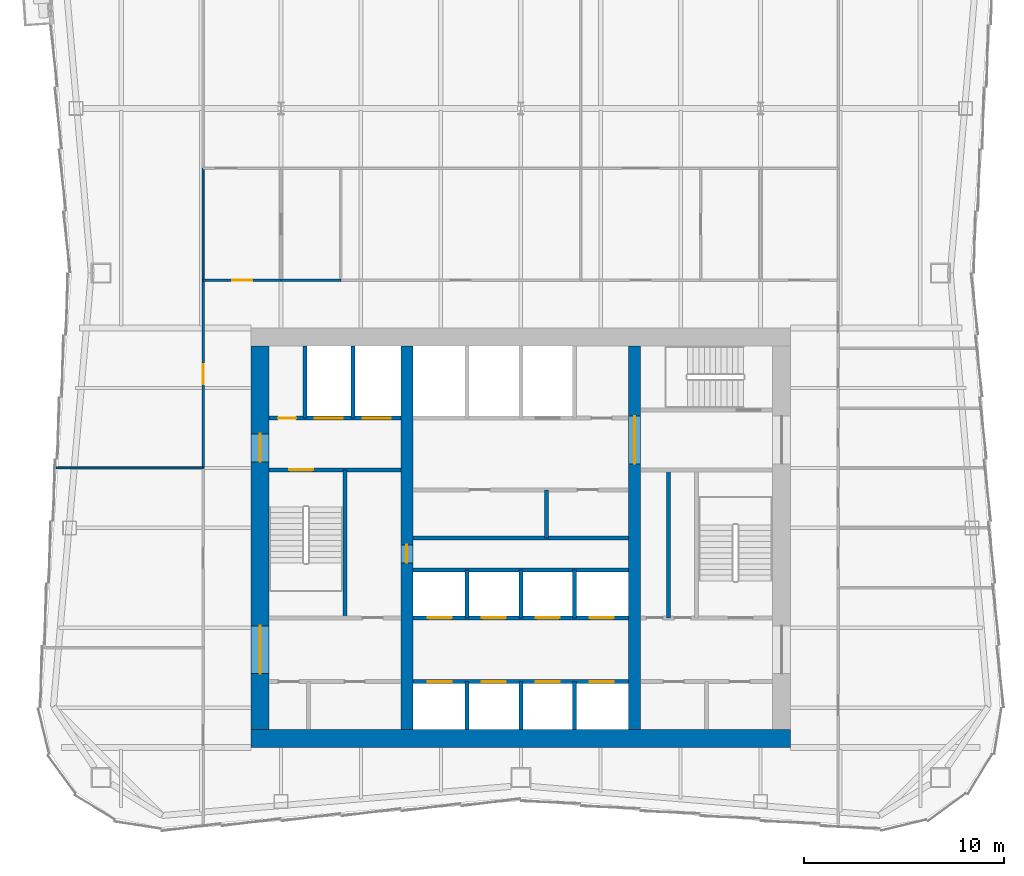
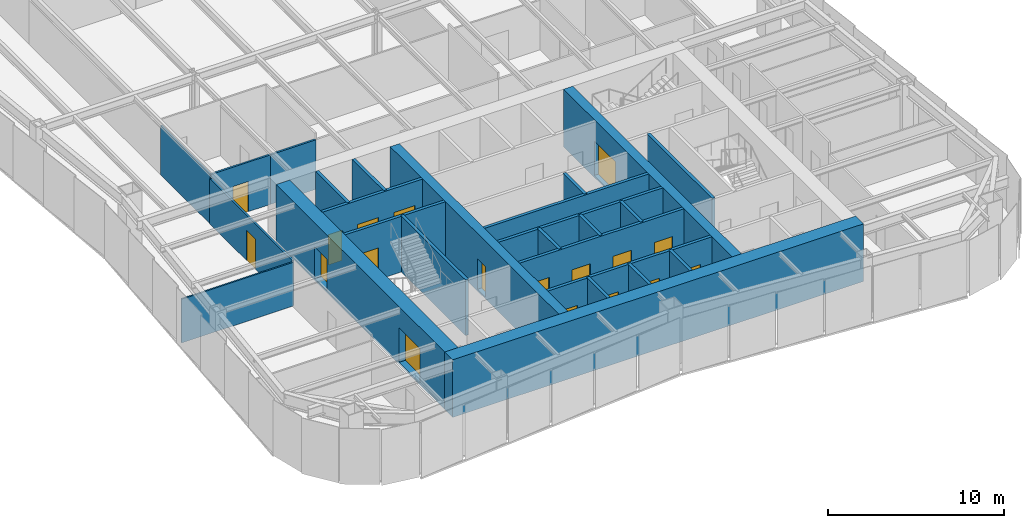
# One storey, part 5 of 10: 26 walls, 18 doors, 18 openings.
"""IFC4 building model written with IfcOpenShell, lengths in metres."""

from ifc_helpers import new_model, si_unit, direction, frame, frame_2d, origin, place, context, subcontext, project, spatial, rectangle, extrude, material, layer, layer_set, type_object, element, fill, save


model = new_model("IFC4")

# Units and contexts
model_context = context("Model", 3, precision=1e-05, world=origin(), true_north=direction((0.0, 1.0)))
body_context = subcontext(model_context, "Body", "Model", "MODEL_VIEW")
ifc_project = project(units=[si_unit("LENGTHUNIT", "METRE"), si_unit("AREAUNIT", "SQUARE_METRE"), si_unit("VOLUMEUNIT", "CUBIC_METRE"), si_unit("PLANEANGLEUNIT", "RADIAN"), si_unit("MASSUNIT", "GRAM", prefix="KILO")], contexts=[model_context])

# Site, building, storey
site_placement = place(None, origin())
site = spatial("IfcSite", under=ifc_project, at=site_placement, CompositionType="ELEMENT")
building_placement = place(site_placement, origin())
building = spatial("IfcBuilding", under=site, at=building_placement, Name="Verdant Reach Tower", CompositionType="ELEMENT")
storey_placement = place(building_placement, frame((0.0, 0.0, 214.0)))
storey = spatial("IfcBuildingStorey", under=building, at=storey_placement, Name="L49", CompositionType="ELEMENT", Elevation=214.0)

# Walls
ifc_material_1 = material(Name="Gypsum board on steel studs", Category="steel")
ifc_layer_1 = layer(ifc_material_1, 0.199951171875)
ifc_layer_set_1 = layer_set([ifc_layer_1], Name="CO-WALL-ROOM")
wall_type_1 = type_object("IfcWallType", Name="CO-WALL-ROOM", PredefinedType="PARTITIONING", material=ifc_layer_set_1)
wall_1_placement = place(storey_placement, frame((-5.39990234375, 28.0, 0.0), z_axis=(0.0, 0.0, 1.0), x_axis=(1.0, 0.0, 0.0)))
element("IfcWall", 1, at=wall_1_placement, inside=storey, type_object=wall_type_1, Name="Core partition, L49", PredefinedType="PARTITIONING", context=body_context, shape_type="SweptSolid", body=[
    extrude(rectangle(XDim=10.7998046875, YDim=0.199951171875, at=frame_2d((5.39990234375, 0.0))), origin(), (0.0, 0.0, 1.0), 3.8701171875),
])
wall_2_placement = place(storey_placement, frame((1.2958984375, 28.0, 0.0), z_axis=(0.0, 0.0, 1.0), x_axis=(0.0, 1.0, 0.0)))
element("IfcWall", 2, at=wall_2_placement, inside=storey, type_object=wall_type_1, Name="Core partition, L49", PredefinedType="PARTITIONING", context=body_context, shape_type="SweptSolid", body=[
    extrude(rectangle(XDim=2.39990234375, YDim=0.199951171875, at=frame_2d((1.199951171875, 0.0))), origin(), (0.0, 0.0, 1.0), 3.8701171875),
])
wall_3_placement = place(storey_placement, frame((7.39990234375, 24.0, 0.0), z_axis=(0.0, 0.0, 1.0), x_axis=(0.0, 1.0, 0.0)))
element("IfcWall", 3, at=wall_3_placement, inside=storey, type_object=wall_type_1, Name="Core partition, L49", PredefinedType="PARTITIONING", context=body_context, shape_type="SweptSolid", body=[
    extrude(rectangle(XDim=7.39990234375, YDim=0.199951171875, at=frame_2d((3.699951171875, 0.0))), origin(), (0.0, 0.0, 1.0), 3.8701171875),
])

# Wall, openings, doors
ifc_material_2 = material(Name="Concrete C40/50", Category="concrete")
ifc_layer_2 = layer(ifc_material_2, 0.199951171875)
ifc_layer_set_2 = layer_set([ifc_layer_2], Name="CO-WALL-SHAFT")
wall_type_2 = type_object("IfcWallType", Name="CO-WALL-SHAFT", PredefinedType="PARTITIONING", material=ifc_layer_set_2)
wall_4_placement = place(storey_placement, frame((-5.39990234375, 20.800048828125, 0.0), z_axis=(0.0, 0.0, 1.0), x_axis=(1.0, 0.0, 0.0)))
wall_4 = element("IfcWall", 4, at=wall_4_placement, inside=storey, type_object=wall_type_2, Name="Lift shaft wall, L49", PredefinedType="PARTITIONING", context=body_context, shape_type="SweptSolid", body=[
    extrude(rectangle(XDim=10.7998046875, YDim=0.199951171875, at=frame_2d((5.39990234375, 0.0))), origin(), (0.0, 0.0, 1.0), 3.8701171875),
])
opening_1_placement = place(wall_4_placement, frame((0.75, 0.0, 0.0)))
opening_1 = element("IfcOpeningElement", 5, at=opening_1_placement, cuts=wall_4, Name="Opening LD-B1", PredefinedType="OPENING", context=body_context, shape_type="SweptSolid", body=[
    extrude(rectangle(XDim=1.199951171875, YDim=2.199951171875, at=frame_2d((0.60009765625, 1.10009765625))), frame((0.0, 0.10986328125, 0.0), z_axis=(0.0, -1.0, 0.0), x_axis=(1.0, 0.0, 0.0)), (0.0, 0.0, 1.0), 0.219970703125),
])
opening_2_placement = place(wall_4_placement, frame((3.449951171875, 0.0, 0.0)))
opening_2 = element("IfcOpeningElement", 6, at=opening_2_placement, cuts=wall_4, Name="Opening LD-B2", PredefinedType="OPENING", context=body_context, shape_type="SweptSolid", body=[
    extrude(rectangle(XDim=1.199951171875, YDim=2.199951171875, at=frame_2d((0.60009765625, 1.10009765625))), frame((0.0, 0.10986328125, 0.0), z_axis=(0.0, -1.0, 0.0), x_axis=(1.0, 0.0, 0.0)), (0.0, 0.0, 1.0), 0.219970703125),
])
opening_3_placement = place(wall_4_placement, frame((6.14990234375, 0.0, 0.0)))
opening_3 = element("IfcOpeningElement", 7, at=opening_3_placement, cuts=wall_4, Name="Opening LD-B3", PredefinedType="OPENING", context=body_context, shape_type="SweptSolid", body=[
    extrude(rectangle(XDim=1.199951171875, YDim=2.199951171875, at=frame_2d((0.60009765625, 1.10009765625))), frame((0.0, 0.10986328125, 0.0), z_axis=(0.0, -1.0, 0.0), x_axis=(1.0, 0.0, 0.0)), (0.0, 0.0, 1.0), 0.219970703125),
])
opening_4_placement = place(wall_4_placement, frame((8.85009765625, 0.0, 0.0)))
opening_4 = element("IfcOpeningElement", 8, at=opening_4_placement, cuts=wall_4, Name="Opening LD-B4", PredefinedType="OPENING", context=body_context, shape_type="SweptSolid", body=[
    extrude(rectangle(XDim=1.199951171875, YDim=2.199951171875, at=frame_2d((0.60009765625, 1.10009765625))), frame((0.0, 0.10986328125, 0.0), z_axis=(0.0, -1.0, 0.0), x_axis=(1.0, 0.0, 0.0)), (0.0, 0.0, 1.0), 0.219970703125),
])
ifc_material_3 = material(Name="Stainless steel", Category="steel")
door_type_1 = type_object("IfcDoorType", Name="CO-DOOR-LANDING", OperationType="SLIDING_TO_LEFT", PredefinedType="DOOR", material=ifc_material_3)
door_1_placement = place(opening_1_placement, origin())
door_1 = element("IfcDoor", 9, at=door_1_placement, inside=storey, type_object=door_type_1, Name="Landing door B1, L49", OperationType="SLIDING_TO_LEFT", OverallHeight=2.199951171875, OverallWidth=1.199951171875, PredefinedType="DOOR", context=body_context, shape_type="SweptSolid", body=[
    extrude(rectangle(XDim=1.199951171875, YDim=2.199951171875, at=frame_2d((0.60009765625, 1.10009765625))), frame((0.0, 0.02490234375, 0.0), z_axis=(0.0, -1.0, 0.0), x_axis=(1.0, 0.0, 0.0)), (0.0, 0.0, 1.0), 0.050048828125),
])
fill(opening_1, door_1)
door_2_placement = place(opening_2_placement, origin())
door_2 = element("IfcDoor", 10, at=door_2_placement, inside=storey, type_object=door_type_1, Name="Landing door B2, L49", OperationType="SLIDING_TO_LEFT", OverallHeight=2.199951171875, OverallWidth=1.199951171875, PredefinedType="DOOR", context=body_context, shape_type="SweptSolid", body=[
    extrude(rectangle(XDim=1.199951171875, YDim=2.199951171875, at=frame_2d((0.60009765625, 1.10009765625))), frame((0.0, 0.02490234375, 0.0), z_axis=(0.0, -1.0, 0.0), x_axis=(1.0, 0.0, 0.0)), (0.0, 0.0, 1.0), 0.050048828125),
])
fill(opening_2, door_2)
door_3_placement = place(opening_3_placement, origin())
door_3 = element("IfcDoor", 11, at=door_3_placement, inside=storey, type_object=door_type_1, Name="Landing door B3, L49", OperationType="SLIDING_TO_LEFT", OverallHeight=2.199951171875, OverallWidth=1.199951171875, PredefinedType="DOOR", context=body_context, shape_type="SweptSolid", body=[
    extrude(rectangle(XDim=1.199951171875, YDim=2.199951171875, at=frame_2d((0.60009765625, 1.10009765625))), frame((0.0, 0.02490234375, 0.0), z_axis=(0.0, -1.0, 0.0), x_axis=(1.0, 0.0, 0.0)), (0.0, 0.0, 1.0), 0.050048828125),
])
fill(opening_3, door_3)
door_4_placement = place(opening_4_placement, origin())
door_4 = element("IfcDoor", 12, at=door_4_placement, inside=storey, type_object=door_type_1, Name="Landing door B4, L49", OperationType="SLIDING_TO_LEFT", OverallHeight=2.199951171875, OverallWidth=1.199951171875, PredefinedType="DOOR", context=body_context, shape_type="SweptSolid", body=[
    extrude(rectangle(XDim=1.199951171875, YDim=2.199951171875, at=frame_2d((0.60009765625, 1.10009765625))), frame((0.0, 0.02490234375, 0.0), z_axis=(0.0, -1.0, 0.0), x_axis=(1.0, 0.0, 0.0)), (0.0, 0.0, 1.0), 0.050048828125),
])
fill(opening_4, door_4)

wall_5_placement = place(storey_placement, frame((-5.39990234375, 24.0, 0.0), z_axis=(0.0, 0.0, 1.0), x_axis=(1.0, 0.0, 0.0)))
wall_5 = element("IfcWall", 13, at=wall_5_placement, inside=storey, type_object=wall_type_2, Name="Lift shaft wall, L49", PredefinedType="PARTITIONING", context=body_context, shape_type="SweptSolid", body=[
    extrude(rectangle(XDim=10.7998046875, YDim=0.199951171875, at=frame_2d((5.39990234375, 0.0))), origin(), (0.0, 0.0, 1.0), 3.8701171875),
])
opening_5_placement = place(wall_5_placement, frame((0.75, 0.0, 0.0)))
opening_5 = element("IfcOpeningElement", 14, at=opening_5_placement, cuts=wall_5, Name="Opening LD-A5", PredefinedType="OPENING", context=body_context, shape_type="SweptSolid", body=[
    extrude(rectangle(XDim=1.199951171875, YDim=2.199951171875, at=frame_2d((0.60009765625, 1.10009765625))), frame((0.0, 0.10986328125, 0.0), z_axis=(0.0, -1.0, 0.0), x_axis=(1.0, 0.0, 0.0)), (0.0, 0.0, 1.0), 0.219970703125),
])
opening_6_placement = place(wall_5_placement, frame((3.449951171875, 0.0, 0.0)))
opening_6 = element("IfcOpeningElement", 15, at=opening_6_placement, cuts=wall_5, Name="Opening LD-A6", PredefinedType="OPENING", context=body_context, shape_type="SweptSolid", body=[
    extrude(rectangle(XDim=1.199951171875, YDim=2.199951171875, at=frame_2d((0.60009765625, 1.10009765625))), frame((0.0, 0.10986328125, 0.0), z_axis=(0.0, -1.0, 0.0), x_axis=(1.0, 0.0, 0.0)), (0.0, 0.0, 1.0), 0.219970703125),
])
opening_7_placement = place(wall_5_placement, frame((6.14990234375, 0.0, 0.0)))
opening_7 = element("IfcOpeningElement", 16, at=opening_7_placement, cuts=wall_5, Name="Opening LD-A7", PredefinedType="OPENING", context=body_context, shape_type="SweptSolid", body=[
    extrude(rectangle(XDim=1.199951171875, YDim=2.199951171875, at=frame_2d((0.60009765625, 1.10009765625))), frame((0.0, 0.10986328125, 0.0), z_axis=(0.0, -1.0, 0.0), x_axis=(1.0, 0.0, 0.0)), (0.0, 0.0, 1.0), 0.219970703125),
])
opening_8_placement = place(wall_5_placement, frame((8.85009765625, 0.0, 0.0)))
opening_8 = element("IfcOpeningElement", 17, at=opening_8_placement, cuts=wall_5, Name="Opening LD-A8", PredefinedType="OPENING", context=body_context, shape_type="SweptSolid", body=[
    extrude(rectangle(XDim=1.199951171875, YDim=2.199951171875, at=frame_2d((0.60009765625, 1.10009765625))), frame((0.0, 0.10986328125, 0.0), z_axis=(0.0, -1.0, 0.0), x_axis=(1.0, 0.0, 0.0)), (0.0, 0.0, 1.0), 0.219970703125),
])
door_5_placement = place(opening_5_placement, origin())
door_5 = element("IfcDoor", 18, at=door_5_placement, inside=storey, type_object=door_type_1, Name="Landing door A5, L49", OperationType="SLIDING_TO_LEFT", OverallHeight=2.199951171875, OverallWidth=1.199951171875, PredefinedType="DOOR", context=body_context, shape_type="SweptSolid", body=[
    extrude(rectangle(XDim=1.199951171875, YDim=2.199951171875, at=frame_2d((0.60009765625, 1.10009765625))), frame((0.0, 0.02490234375, 0.0), z_axis=(0.0, -1.0, 0.0), x_axis=(1.0, 0.0, 0.0)), (0.0, 0.0, 1.0), 0.050048828125),
])
fill(opening_5, door_5)
door_6_placement = place(opening_6_placement, origin())
door_6 = element("IfcDoor", 19, at=door_6_placement, inside=storey, type_object=door_type_1, Name="Landing door A6, L49", OperationType="SLIDING_TO_LEFT", OverallHeight=2.199951171875, OverallWidth=1.199951171875, PredefinedType="DOOR", context=body_context, shape_type="SweptSolid", body=[
    extrude(rectangle(XDim=1.199951171875, YDim=2.199951171875, at=frame_2d((0.60009765625, 1.10009765625))), frame((0.0, 0.02490234375, 0.0), z_axis=(0.0, -1.0, 0.0), x_axis=(1.0, 0.0, 0.0)), (0.0, 0.0, 1.0), 0.050048828125),
])
fill(opening_6, door_6)
door_7_placement = place(opening_7_placement, origin())
door_7 = element("IfcDoor", 20, at=door_7_placement, inside=storey, type_object=door_type_1, Name="Landing door A7, L49", OperationType="SLIDING_TO_LEFT", OverallHeight=2.199951171875, OverallWidth=1.199951171875, PredefinedType="DOOR", context=body_context, shape_type="SweptSolid", body=[
    extrude(rectangle(XDim=1.199951171875, YDim=2.199951171875, at=frame_2d((0.60009765625, 1.10009765625))), frame((0.0, 0.02490234375, 0.0), z_axis=(0.0, -1.0, 0.0), x_axis=(1.0, 0.0, 0.0)), (0.0, 0.0, 1.0), 0.050048828125),
])
fill(opening_7, door_7)
door_8_placement = place(opening_8_placement, origin())
door_8 = element("IfcDoor", 21, at=door_8_placement, inside=storey, type_object=door_type_1, Name="Landing door A8, L49", OperationType="SLIDING_TO_LEFT", OverallHeight=2.199951171875, OverallWidth=1.199951171875, PredefinedType="DOOR", context=body_context, shape_type="SweptSolid", body=[
    extrude(rectangle(XDim=1.199951171875, YDim=2.199951171875, at=frame_2d((0.60009765625, 1.10009765625))), frame((0.0, 0.02490234375, 0.0), z_axis=(0.0, -1.0, 0.0), x_axis=(1.0, 0.0, 0.0)), (0.0, 0.0, 1.0), 0.050048828125),
])
fill(opening_8, door_8)

# Wall
wall_6_placement = place(storey_placement, frame((-5.39990234375, 26.39990234375, 0.0), z_axis=(0.0, 0.0, 1.0), x_axis=(1.0, 0.0, 0.0)))
element("IfcWall", 22, at=wall_6_placement, inside=storey, type_object=wall_type_2, Name="Lift shaft wall, L49", PredefinedType="PARTITIONING", context=body_context, shape_type="SweptSolid", body=[
    extrude(rectangle(XDim=10.7998046875, YDim=0.199951171875, at=frame_2d((5.39990234375, 0.0))), origin(), (0.0, 0.0, 1.0), 3.8701171875),
])

# Wall, openings, doors
wall_7_placement = place(storey_placement, frame((-12.60009765625, 34.0, 0.0), z_axis=(0.0, 0.0, 1.0), x_axis=(1.0, 0.0, 0.0)))
wall_7 = element("IfcWall", 23, at=wall_7_placement, inside=storey, type_object=wall_type_2, Name="Lift shaft wall, L49", PredefinedType="PARTITIONING", context=body_context, shape_type="SweptSolid", body=[
    extrude(rectangle(XDim=6.60009765625, YDim=0.199951171875, at=frame_2d((3.300048828125, 0.0))), origin(), (0.0, 0.0, 1.0), 3.8701171875),
])
opening_9_placement = place(wall_7_placement, frame((4.699951171875, 0.0, 0.0)))
opening_9 = element("IfcOpeningElement", 24, at=opening_9_placement, cuts=wall_7, Name="Opening LD-F1", PredefinedType="OPENING", context=body_context, shape_type="SweptSolid", body=[
    extrude(rectangle(XDim=1.39990234375, YDim=2.199951171875, at=frame_2d((0.699951171875, 1.10009765625))), frame((0.0, 0.10986328125, 0.0), z_axis=(0.0, -1.0, 0.0), x_axis=(1.0, 0.0, 0.0)), (0.0, 0.0, 1.0), 0.219970703125),
])
opening_10_placement = place(wall_7_placement, frame((2.300048828125, 0.0, 0.0)))
opening_10 = element("IfcOpeningElement", 25, at=opening_10_placement, cuts=wall_7, Name="Opening LD-F2", PredefinedType="OPENING", context=body_context, shape_type="SweptSolid", body=[
    extrude(rectangle(XDim=1.39990234375, YDim=2.199951171875, at=frame_2d((0.699951171875, 1.10009765625))), frame((0.0, 0.10986328125, 0.0), z_axis=(0.0, -1.0, 0.0), x_axis=(1.0, 0.0, 0.0)), (0.0, 0.0, 1.0), 0.219970703125),
])
opening_11_placement = place(wall_7_placement, frame((0.449951171875, 0.0, 0.0)))
opening_11 = element("IfcOpeningElement", 26, at=opening_11_placement, cuts=wall_7, Name="Opening RD", PredefinedType="OPENING", context=body_context, shape_type="SweptSolid", body=[
    extrude(rectangle(XDim=0.89990234375, YDim=2.10009765625, at=frame_2d((0.449951171875, 1.050048828125))), frame((0.0, 0.10986328125, 0.0), z_axis=(0.0, -1.0, 0.0), x_axis=(1.0, 0.0, 0.0)), (0.0, 0.0, 1.0), 0.219970703125),
])
door_type_2 = type_object("IfcDoorType", Name="CO-DOOR-LANDING-FF", OperationType="SLIDING_TO_LEFT", PredefinedType="DOOR", material=ifc_material_3)
door_9_placement = place(opening_9_placement, origin())
door_9 = element("IfcDoor", 27, at=door_9_placement, inside=storey, type_object=door_type_2, Name="Landing door F1, L49", OperationType="SLIDING_TO_LEFT", OverallHeight=2.199951171875, OverallWidth=1.39990234375, PredefinedType="DOOR", context=body_context, shape_type="SweptSolid", body=[
    extrude(rectangle(XDim=1.39990234375, YDim=2.199951171875, at=frame_2d((0.699951171875, 1.10009765625))), frame((0.0, 0.02490234375, 0.0), z_axis=(0.0, -1.0, 0.0), x_axis=(1.0, 0.0, 0.0)), (0.0, 0.0, 1.0), 0.050048828125),
])
fill(opening_9, door_9)
door_10_placement = place(opening_10_placement, origin())
door_10 = element("IfcDoor", 28, at=door_10_placement, inside=storey, type_object=door_type_2, Name="Landing door F2, L49", OperationType="SLIDING_TO_LEFT", OverallHeight=2.199951171875, OverallWidth=1.39990234375, PredefinedType="DOOR", context=body_context, shape_type="SweptSolid", body=[
    extrude(rectangle(XDim=1.39990234375, YDim=2.199951171875, at=frame_2d((0.699951171875, 1.10009765625))), frame((0.0, 0.02490234375, 0.0), z_axis=(0.0, -1.0, 0.0), x_axis=(1.0, 0.0, 0.0)), (0.0, 0.0, 1.0), 0.050048828125),
])
fill(opening_10, door_10)
ifc_material_4 = material(Name="Steel", Category="steel")
door_type_3 = type_object("IfcDoorType", Name="CO-DOOR-RISER", OperationType="NOTDEFINED", PredefinedType="DOOR", material=ifc_material_4)
door_11_placement = place(opening_11_placement, origin())
door_11 = element("IfcDoor", 29, at=door_11_placement, inside=storey, type_object=door_type_3, Name="Core room door, L49", OperationType="SINGLE_SWING_RIGHT", OverallHeight=2.10009765625, OverallWidth=0.89990234375, PredefinedType="DOOR", context=body_context, shape_type="SweptSolid", body=[
    extrude(rectangle(XDim=0.89990234375, YDim=2.10009765625, at=frame_2d((0.449951171875, 1.050048828125))), frame((0.0, 0.02490234375, 0.0), z_axis=(0.0, -1.0, 0.0), x_axis=(1.0, 0.0, 0.0)), (0.0, 0.0, 1.0), 0.050048828125),
])
fill(opening_11, door_11)

# Walls
for number, where, z_axis, x_axis, name in (
    (30, (-10.800048828125, 34.0, 0.0), (0.0, 0.0, 1.0), (0.0, 1.0, 0.0), "Lift shaft wall, L49"),
    (31, (-8.39990234375, 34.0, 0.0), (0.0, 0.0, 1.0), (0.0, 1.0, 0.0), "Lift shaft wall, L49"),
):
    element("IfcWall", number, at=place(storey_placement, frame(where, z_axis=z_axis, x_axis=x_axis)), inside=storey, type_object=wall_type_2, Name=name, PredefinedType="PARTITIONING", context=body_context, shape_type="SweptSolid", body=[
        extrude(rectangle(XDim=3.60009765625, YDim=0.199951171875, at=frame_2d((1.800048828125, 0.0))), origin(), (0.0, 0.0, 1.0), 3.8701171875),
    ])
wall_8_placement = place(storey_placement, frame((-2.699951171875, 18.39990234375, 0.0), z_axis=(0.0, 0.0, 1.0), x_axis=(0.0, 1.0, 0.0)))
element("IfcWall", 32, at=wall_8_placement, inside=storey, type_object=wall_type_2, Name="Lift shaft wall, L49", PredefinedType="PARTITIONING", context=body_context, shape_type="SweptSolid", body=[
    extrude(rectangle(XDim=2.400146484375, YDim=0.199951171875, at=frame_2d((1.2001953125, 0.0))), origin(), (0.0, 0.0, 1.0), 3.8701171875),
])
wall_9_placement = place(storey_placement, frame((-2.699951171875, 24.0, 0.0), z_axis=(0.0, 0.0, 1.0), x_axis=(0.0, 1.0, 0.0)))
element("IfcWall", 33, at=wall_9_placement, inside=storey, type_object=wall_type_2, Name="Lift shaft wall, L49", PredefinedType="PARTITIONING", context=body_context, shape_type="SweptSolid", body=[
    extrude(rectangle(XDim=2.39990234375, YDim=0.199951171875, at=frame_2d((1.199951171875, 0.0))), origin(), (0.0, 0.0, 1.0), 3.8701171875),
])
wall_10_placement = place(storey_placement, frame((0.0, 18.39990234375, 0.0), z_axis=(0.0, 0.0, 1.0), x_axis=(0.0, 1.0, 0.0)))
element("IfcWall", 34, at=wall_10_placement, inside=storey, type_object=wall_type_2, Name="Lift shaft wall, L49", PredefinedType="PARTITIONING", context=body_context, shape_type="SweptSolid", body=[
    extrude(rectangle(XDim=2.400146484375, YDim=0.199951171875, at=frame_2d((1.2001953125, 0.0))), origin(), (0.0, 0.0, 1.0), 3.8701171875),
])
wall_11_placement = place(storey_placement, frame((0.0, 24.0, 0.0), z_axis=(0.0, 0.0, 1.0), x_axis=(0.0, 1.0, 0.0)))
element("IfcWall", 35, at=wall_11_placement, inside=storey, type_object=wall_type_2, Name="Lift shaft wall, L49", PredefinedType="PARTITIONING", context=body_context, shape_type="SweptSolid", body=[
    extrude(rectangle(XDim=2.39990234375, YDim=0.199951171875, at=frame_2d((1.199951171875, 0.0))), origin(), (0.0, 0.0, 1.0), 3.8701171875),
])
wall_12_placement = place(storey_placement, frame((2.699951171875, 18.39990234375, 0.0), z_axis=(0.0, 0.0, 1.0), x_axis=(0.0, 1.0, 0.0)))
element("IfcWall", 36, at=wall_12_placement, inside=storey, type_object=wall_type_2, Name="Lift shaft wall, L49", PredefinedType="PARTITIONING", context=body_context, shape_type="SweptSolid", body=[
    extrude(rectangle(XDim=2.400146484375, YDim=0.199951171875, at=frame_2d((1.2001953125, 0.0))), origin(), (0.0, 0.0, 1.0), 3.8701171875),
])
wall_13_placement = place(storey_placement, frame((2.699951171875, 24.0, 0.0), z_axis=(0.0, 0.0, 1.0), x_axis=(0.0, 1.0, 0.0)))
element("IfcWall", 37, at=wall_13_placement, inside=storey, type_object=wall_type_2, Name="Lift shaft wall, L49", PredefinedType="PARTITIONING", context=body_context, shape_type="SweptSolid", body=[
    extrude(rectangle(XDim=2.39990234375, YDim=0.199951171875, at=frame_2d((1.199951171875, 0.0))), origin(), (0.0, 0.0, 1.0), 3.8701171875),
])

# Wall, opening, door
ifc_layer_3 = layer(ifc_material_2, 0.199951171875)
ifc_layer_set_3 = layer_set([ifc_layer_3], Name="CO-WALL-STAIR")
wall_type_3 = type_object("IfcWallType", Name="CO-WALL-STAIR", PredefinedType="PARTITIONING", material=ifc_layer_set_3)
wall_14_placement = place(storey_placement, frame((-12.60009765625, 31.39990234375, 0.0), z_axis=(0.0, 0.0, 1.0), x_axis=(1.0, 0.0, 0.0)))
wall_14 = element("IfcWall", 38, at=wall_14_placement, inside=storey, type_object=wall_type_3, Name="Stair enclosure wall, L49", PredefinedType="PARTITIONING", context=body_context, shape_type="SweptSolid", body=[
    extrude(rectangle(XDim=6.60009765625, YDim=0.199951171875, at=frame_2d((3.300048828125, 0.0))), origin(), (0.0, 0.0, 1.0), 3.8701171875),
])
opening_12_placement = place(wall_14_placement, frame((1.0, 0.0, 0.0)))
opening_12 = element("IfcOpeningElement", 39, at=opening_12_placement, cuts=wall_14, Name="Opening SD", PredefinedType="OPENING", context=body_context, shape_type="SweptSolid", body=[
    extrude(rectangle(XDim=1.199951171875, YDim=2.199951171875, at=frame_2d((0.60009765625, 1.10009765625))), frame((0.0, 0.10986328125, 0.0), z_axis=(0.0, -1.0, 0.0), x_axis=(1.0, 0.0, 0.0)), (0.0, 0.0, 1.0), 0.219970703125),
])
door_type_4 = type_object("IfcDoorType", Name="CO-DOOR-STAIR", OperationType="NOTDEFINED", PredefinedType="DOOR", material=ifc_material_4)
door_12_placement = place(opening_12_placement, origin())
door_12 = element("IfcDoor", 40, at=door_12_placement, inside=storey, type_object=door_type_4, Name="Stair door, L49", OperationType="SINGLE_SWING_LEFT", OverallHeight=2.199951171875, OverallWidth=1.199951171875, PredefinedType="DOOR", context=body_context, shape_type="SweptSolid", body=[
    extrude(rectangle(XDim=1.199951171875, YDim=2.199951171875, at=frame_2d((0.60009765625, 1.10009765625))), frame((0.0, 0.02490234375, 0.0), z_axis=(0.0, -1.0, 0.0), x_axis=(1.0, 0.0, 0.0)), (0.0, 0.0, 1.0), 0.050048828125),
])
fill(opening_12, door_12)

# Walls
wall_15_placement = place(storey_placement, frame((-8.800048828125, 24.0, 0.0), z_axis=(0.0, 0.0, 1.0), x_axis=(0.0, 1.0, 0.0)))
element("IfcWall", 41, at=wall_15_placement, inside=storey, type_object=wall_type_3, Name="Stair enclosure wall, L49", PredefinedType="PARTITIONING", context=body_context, shape_type="SweptSolid", body=[
    extrude(rectangle(XDim=7.39990234375, YDim=0.199951171875, at=frame_2d((3.699951171875, 0.0))), origin(), (0.0, 0.0, 1.0), 3.8701171875),
])
ifc_layer_4 = layer(ifc_material_1, 0.10009765625)
ifc_layer_set_4 = layer_set([ifc_layer_4], Name="FL-W1 Partition 100")
wall_type_4 = type_object("IfcWallType", Name="FL-W1 Partition 100", PredefinedType="PARTITIONING", material=ifc_layer_set_4)
wall_16_placement = place(storey_placement, frame((-15.89990234375, 46.50390625, 0.0), z_axis=(0.0, 0.0, 1.0), x_axis=(0.0, -1.0, 0.0)))
element("IfcWall", 42, at=wall_16_placement, inside=storey, type_object=wall_type_4, Name="Partition 49.18", PredefinedType="PARTITIONING", context=body_context, shape_type="SweptSolid", body=[
    extrude(rectangle(XDim=5.60791015625, YDim=0.10009765625, at=frame_2d((2.803955078125, 0.0))), origin(), (0.0, 0.0, 1.0), 3.43994140625),
])
wall_17_placement = place(storey_placement, frame((-15.89990234375, 31.5, 0.0), z_axis=(0.0, 0.0, 1.0), x_axis=(-1.0, 0.0, 0.0)))
element("IfcWall", 43, at=wall_17_placement, inside=storey, type_object=wall_type_4, Name="Partition 49.41", PredefinedType="PARTITIONING", context=body_context, shape_type="SweptSolid", body=[
    extrude(rectangle(XDim=7.3525390625, YDim=0.10009765625, at=frame_2d((3.67626953125, 0.0))), origin(), (0.0, 0.0, 1.0), 3.0400390625),
])

# Wall, opening, door
ifc_material_5 = material(Name="Gypsum board on steel studs, fire rated", Category="steel")
ifc_layer_5 = layer(ifc_material_5, 0.125)
ifc_layer_set_5 = layer_set([ifc_layer_5], Name="FL-W2 Corridor wall 125")
wall_type_5 = type_object("IfcWallType", Name="FL-W2 Corridor wall 125", PredefinedType="PARTITIONING", material=ifc_layer_set_5)
wall_18_placement = place(storey_placement, frame((-15.89990234375, 40.89990234375, 0.0), z_axis=(0.0, 0.0, 1.0), x_axis=(1.0, 0.0, 0.0)))
wall_18 = element("IfcWall", 44, at=wall_18_placement, inside=storey, type_object=wall_type_5, Name="Partition 49.01", PredefinedType="PARTITIONING", context=body_context, shape_type="SweptSolid", body=[
    extrude(rectangle(XDim=3.89990234375, YDim=0.125, at=frame_2d((1.949951171875, 0.0))), origin(), (0.0, 0.0, 1.0), 3.43994140625),
])
opening_13_placement = place(wall_18_placement, frame((1.449951171875, 0.0, 0.0)))
opening_13 = element("IfcOpeningElement", 45, at=opening_13_placement, cuts=wall_18, Name="Opening D2", PredefinedType="OPENING", context=body_context, shape_type="SweptSolid", body=[
    extrude(rectangle(XDim=1.0, YDim=2.10009765625, at=frame_2d((0.5, 1.050048828125))), frame((0.0, 0.072509765625, 0.0), z_axis=(0.0, -1.0, 0.0), x_axis=(1.0, 0.0, 0.0)), (0.0, 0.0, 1.0), 0.14501953125),
])
ifc_material_6 = material(Name="Timber door leaf, fire rated", Category="wood")
door_type_5 = type_object("IfcDoorType", Name="FL-D2 Entrance door 1000x2100 FD30", OperationType="NOTDEFINED", PredefinedType="DOOR", material=ifc_material_6)
door_13_placement = place(opening_13_placement, origin())
door_13 = element("IfcDoor", 46, at=door_13_placement, inside=storey, type_object=door_type_5, Name="Door 49-001", OperationType="SINGLE_SWING_LEFT", OverallHeight=2.10009765625, OverallWidth=1.0, PredefinedType="DOOR", context=body_context, shape_type="SweptSolid", body=[
    extrude(rectangle(XDim=1.0, YDim=2.10009765625, at=frame_2d((0.5, 1.050048828125))), frame((0.0, 0.02490234375, 0.0), z_axis=(0.0, -1.0, 0.0), x_axis=(1.0, 0.0, 0.0)), (0.0, 0.0, 1.0), 0.050048828125),
])
fill(opening_13, door_13)

# Wall
wall_19_placement = place(storey_placement, frame((-9.0, 40.89990234375, 0.0), z_axis=(0.0, 0.0, 1.0), x_axis=(-1.0, 0.0, 0.0)))
element("IfcWall", 47, at=wall_19_placement, inside=storey, type_object=wall_type_5, Name="Partition 49.02", PredefinedType="PARTITIONING", context=body_context, shape_type="SweptSolid", body=[
    extrude(rectangle(XDim=3.0, YDim=0.125, at=frame_2d((1.5, 0.0))), origin(), (0.0, 0.0, 1.0), 3.43994140625),
])

# Wall, opening, door
wall_20_placement = place(storey_placement, frame((-15.89990234375, 31.5, 0.0), z_axis=(0.0, 0.0, 1.0), x_axis=(0.0, 1.0, 0.0)))
wall_20 = element("IfcWall", 48, at=wall_20_placement, inside=storey, type_object=wall_type_5, Name="Partition 49.09", PredefinedType="PARTITIONING", context=body_context, shape_type="SweptSolid", body=[
    extrude(rectangle(XDim=9.404052734375, YDim=0.125, at=frame_2d((4.7021484375, 0.0))), origin(), (0.0, 0.0, 1.0), 3.139892578125),
])
opening_14_placement = place(wall_20_placement, frame((4.201904296875, 0.0, 0.0)))
opening_14 = element("IfcOpeningElement", 49, at=opening_14_placement, cuts=wall_20, Name="Opening D2", PredefinedType="OPENING", context=body_context, shape_type="SweptSolid", body=[
    extrude(rectangle(XDim=1.0, YDim=2.10009765625, at=frame_2d((0.5, 1.050048828125))), frame((0.0, 0.072509765625, 0.0), z_axis=(0.0, -1.0, 0.0), x_axis=(1.0, 0.0, 0.0)), (0.0, 0.0, 1.0), 0.14501953125),
])
door_14_placement = place(opening_14_placement, origin())
door_14 = element("IfcDoor", 50, at=door_14_placement, inside=storey, type_object=door_type_5, Name="Door 49-007", OperationType="SINGLE_SWING_LEFT", OverallHeight=2.10009765625, OverallWidth=1.0, PredefinedType="DOOR", context=body_context, shape_type="SweptSolid", body=[
    extrude(rectangle(XDim=1.0, YDim=2.10009765625, at=frame_2d((0.5, 1.050048828125))), frame((0.0, 0.02490234375, 0.0), z_axis=(0.0, -1.0, 0.0), x_axis=(1.0, 0.0, 0.0)), (0.0, 0.0, 1.0), 0.050048828125),
])
fill(opening_14, door_14)

ifc_material_7 = material(Name="Concrete C70/85", Category="concrete")
ifc_layer_6 = layer(ifc_material_7, 0.60009765625)
ifc_layer_set_6 = layer_set([ifc_layer_6], Name="ST-CORE-WALL-600")
wall_type_6 = type_object("IfcWallType", Name="ST-CORE-WALL-600", PredefinedType="SHEAR", material=ifc_layer_set_6)
wall_21_placement = place(storey_placement, frame((-5.699951171875, 18.39990234375, -0.1298828125), z_axis=(0.0, 0.0, 1.0), x_axis=(0.0, 1.0, 0.0)))
wall_21 = element("IfcWall", 51, at=wall_21_placement, inside=storey, type_object=wall_type_6, Name="Core wall XW, L49", PredefinedType="SHEAR", context=body_context, shape_type="SweptSolid", body=[
    extrude(rectangle(XDim=19.2001953125, YDim=0.60009765625, at=frame_2d((9.60009765625, 0.0))), origin(), (0.0, 0.0, 1.0), 4.0),
])
opening_15_placement = place(wall_21_placement, frame((8.35009765625, 0.0, 0.1298828125)))
opening_15 = element("IfcOpeningElement", 52, at=opening_15_placement, cuts=wall_21, Name="Opening RD", PredefinedType="OPENING", context=body_context, shape_type="SweptSolid", body=[
    extrude(rectangle(XDim=0.89990234375, YDim=2.10009765625, at=frame_2d((0.449951171875, 1.050048828125))), frame((0.0, 0.31005859375, 0.0), z_axis=(0.0, -1.0, 0.0), x_axis=(1.0, 0.0, 0.0)), (0.0, 0.0, 1.0), 0.6201171875),
])
door_15_placement = place(opening_15_placement, origin())
door_15 = element("IfcDoor", 53, at=door_15_placement, inside=storey, type_object=door_type_3, Name="Riser door, L49", OperationType="SINGLE_SWING_LEFT", OverallHeight=2.10009765625, OverallWidth=0.89990234375, PredefinedType="DOOR", context=body_context, shape_type="SweptSolid", body=[
    extrude(rectangle(XDim=0.89990234375, YDim=2.10009765625, at=frame_2d((0.449951171875, 1.050048828125))), frame((0.0, 0.02490234375, 0.0), z_axis=(0.0, -1.0, 0.0), x_axis=(1.0, 0.0, 0.0)), (0.0, 0.0, 1.0), 0.050048828125),
])
fill(opening_15, door_15)

wall_22_placement = place(storey_placement, frame((5.699951171875, 18.39990234375, -0.1298828125), z_axis=(0.0, 0.0, 1.0), x_axis=(0.0, 1.0, 0.0)))
wall_22 = element("IfcWall", 54, at=wall_22_placement, inside=storey, type_object=wall_type_6, Name="Core wall XE, L49", PredefinedType="SHEAR", context=body_context, shape_type="SweptSolid", body=[
    extrude(rectangle(XDim=19.2001953125, YDim=0.60009765625, at=frame_2d((9.60009765625, 0.0))), origin(), (0.0, 0.0, 1.0), 4.0),
])
opening_16_placement = place(wall_22_placement, frame((13.300048828125, 0.0, 0.1298828125)))
opening_16 = element("IfcOpeningElement", 55, at=opening_16_placement, cuts=wall_22, Name="Opening LB", PredefinedType="OPENING", context=body_context, shape_type="SweptSolid", body=[
    extrude(rectangle(XDim=2.39990234375, YDim=2.39990234375, at=frame_2d((1.199951171875, 1.199951171875))), frame((0.0, 0.31005859375, 0.0), z_axis=(0.0, -1.0, 0.0), x_axis=(1.0, 0.0, 0.0)), (0.0, 0.0, 1.0), 0.6201171875),
])
ifc_material_8 = material(Name="Glass and steel", Category="steel")
door_type_6 = type_object("IfcDoorType", Name="CO-DOOR-LOBBY", OperationType="DOUBLE_DOOR_SINGLE_SWING", PredefinedType="DOOR", material=ifc_material_8)
door_16_placement = place(opening_16_placement, origin())
door_16 = element("IfcDoor", 56, at=door_16_placement, inside=storey, type_object=door_type_6, Name="Core entrance door, L49", OperationType="DOUBLE_DOOR_SINGLE_SWING", OverallHeight=2.39990234375, OverallWidth=2.39990234375, PredefinedType="DOOR", context=body_context, shape_type="SweptSolid", body=[
    extrude(rectangle(XDim=2.39990234375, YDim=2.39990234375, at=frame_2d((1.199951171875, 1.199951171875))), frame((0.0, 0.02490234375, 0.0), z_axis=(0.0, -1.0, 0.0), x_axis=(1.0, 0.0, 0.0)), (0.0, 0.0, 1.0), 0.050048828125),
])
fill(opening_16, door_16)

# Wall
ifc_layer_7 = layer(ifc_material_7, 0.89990234375)
ifc_layer_set_7 = layer_set([ifc_layer_7], Name="ST-CORE-WALL-900")
wall_type_7 = type_object("IfcWallType", Name="ST-CORE-WALL-900", PredefinedType="SHEAR", material=ifc_layer_set_7)
wall_23_placement = place(storey_placement, frame((-13.5, 17.949951171875, -0.1298828125), z_axis=(0.0, 0.0, 1.0), x_axis=(1.0, 0.0, 0.0)))
element("IfcWall", 57, at=wall_23_placement, inside=storey, type_object=wall_type_7, Name="Core wall S, L49", PredefinedType="SHEAR", context=body_context, shape_type="SweptSolid", body=[
    extrude(rectangle(XDim=27.0, YDim=0.89990234375, at=frame_2d((13.5, 0.0))), origin(), (0.0, 0.0, 1.0), 4.0),
])

# Wall, openings, doors
wall_24_placement = place(storey_placement, frame((-13.050048828125, 18.39990234375, -0.1298828125), z_axis=(0.0, 0.0, 1.0), x_axis=(0.0, 1.0, 0.0)))
wall_24 = element("IfcWall", 58, at=wall_24_placement, inside=storey, type_object=wall_type_7, Name="Core wall W, L49", PredefinedType="SHEAR", context=body_context, shape_type="SweptSolid", body=[
    extrude(rectangle(XDim=19.2001953125, YDim=0.89990234375, at=frame_2d((9.60009765625, 0.0))), origin(), (0.0, 0.0, 1.0), 4.0),
])
opening_17_placement = place(wall_24_placement, frame((2.800048828125, 0.0, 0.1298828125)))
opening_17 = element("IfcOpeningElement", 59, at=opening_17_placement, cuts=wall_24, Name="Opening LB", PredefinedType="OPENING", context=body_context, shape_type="SweptSolid", body=[
    extrude(rectangle(XDim=2.39990234375, YDim=2.39990234375, at=frame_2d((1.199951171875, 1.199951171875))), frame((0.0, 0.4599609375, 0.0), z_axis=(0.0, -1.0, 0.0), x_axis=(1.0, 0.0, 0.0)), (0.0, 0.0, 1.0), 0.919921875),
])
opening_18_placement = place(wall_24_placement, frame((13.39990234375, 0.0, 0.1298828125)))
opening_18 = element("IfcOpeningElement", 60, at=opening_18_placement, cuts=wall_24, Name="Opening FL", PredefinedType="OPENING", context=body_context, shape_type="SweptSolid", body=[
    extrude(rectangle(XDim=1.39990234375, YDim=2.199951171875, at=frame_2d((0.699951171875, 1.10009765625))), frame((0.0, 0.4599609375, 0.0), z_axis=(0.0, -1.0, 0.0), x_axis=(1.0, 0.0, 0.0)), (0.0, 0.0, 1.0), 0.919921875),
])
door_type_7 = type_object("IfcDoorType", Name="CO-DOOR-FFL", OperationType="NOTDEFINED", PredefinedType="DOOR", material=ifc_material_4)
door_17_placement = place(opening_18_placement, origin())
door_17 = element("IfcDoor", 61, at=door_17_placement, inside=storey, type_object=door_type_7, Name="Core entrance door, L49", OperationType="SINGLE_SWING_LEFT", OverallHeight=2.199951171875, OverallWidth=1.39990234375, PredefinedType="DOOR", context=body_context, shape_type="SweptSolid", body=[
    extrude(rectangle(XDim=1.39990234375, YDim=2.199951171875, at=frame_2d((0.699951171875, 1.10009765625))), frame((0.0, 0.02490234375, 0.0), z_axis=(0.0, -1.0, 0.0), x_axis=(1.0, 0.0, 0.0)), (0.0, 0.0, 1.0), 0.050048828125),
])
fill(opening_18, door_17)
door_18_placement = place(opening_17_placement, origin())
door_18 = element("IfcDoor", 62, at=door_18_placement, inside=storey, type_object=door_type_6, Name="Core entrance door, L49", OperationType="DOUBLE_DOOR_SINGLE_SWING", OverallHeight=2.39990234375, OverallWidth=2.39990234375, PredefinedType="DOOR", context=body_context, shape_type="SweptSolid", body=[
    extrude(rectangle(XDim=2.39990234375, YDim=2.39990234375, at=frame_2d((1.199951171875, 1.199951171875))), frame((0.0, 0.02490234375, 0.0), z_axis=(0.0, -1.0, 0.0), x_axis=(1.0, 0.0, 0.0)), (0.0, 0.0, 1.0), 0.050048828125),
])
fill(opening_17, door_18)

save(model, "model.ifc")
